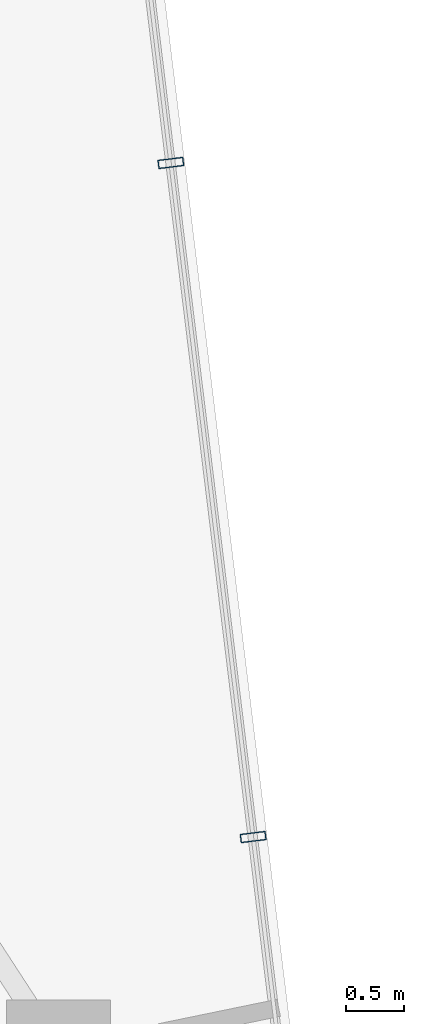
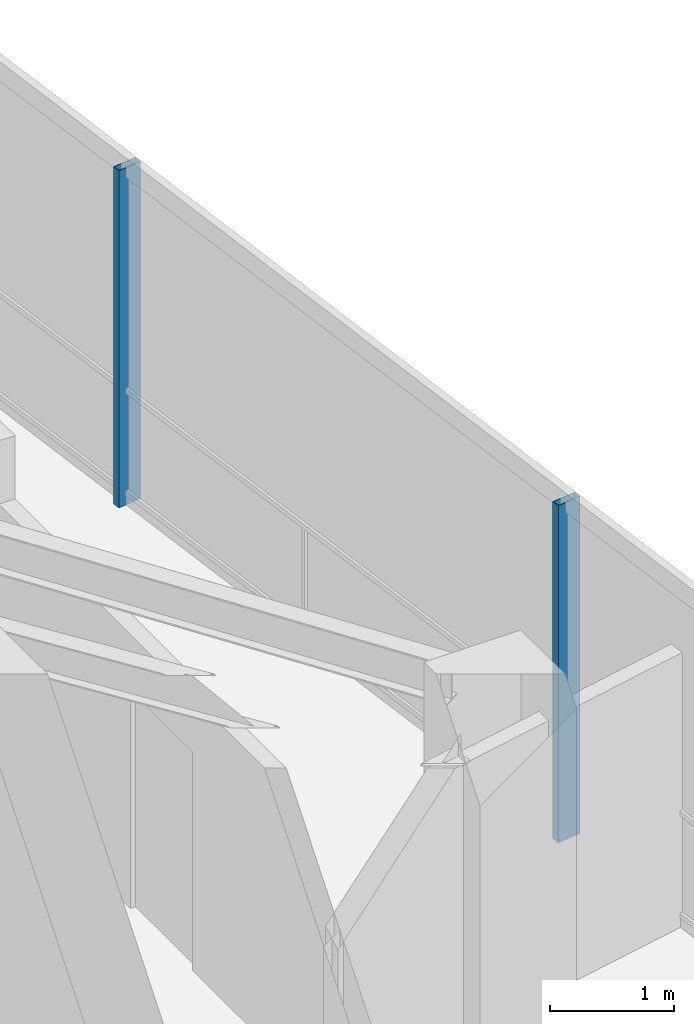
# One storey, part 9 of 18: 2 members, 1 element without a shape of its own.
"""IFC4 building model written with IfcOpenShell, lengths in metres."""

from ifc_helpers import new_model, si_unit, direction, frame, origin, origin_2d, place, context, subcontext, project, spatial, hollow_rectangle, extrude, material, layer, layer_set, material_profile, profile_set, type_object, element, aggregate, save


model = new_model("IFC4")

# Units and contexts
model_context = context("Model", 3, precision=1e-05, world=origin(), true_north=direction((0.0, 1.0)))
body_context = subcontext(model_context, "Body", "Model", "MODEL_VIEW")
ifc_project = project(units=[si_unit("LENGTHUNIT", "METRE"), si_unit("AREAUNIT", "SQUARE_METRE"), si_unit("VOLUMEUNIT", "CUBIC_METRE"), si_unit("PLANEANGLEUNIT", "RADIAN"), si_unit("MASSUNIT", "GRAM", prefix="KILO")], contexts=[model_context])

# Site, building, storey
site_placement = place(None, origin())
site = spatial("IfcSite", under=ifc_project, at=site_placement, CompositionType="ELEMENT")
building_placement = place(site_placement, origin())
building = spatial("IfcBuilding", under=site, at=building_placement, Name="Qarnah Convention Tower", CompositionType="ELEMENT")
storey_placement = place(building_placement, frame((0.0, 0.0, 205.800048828125)))
storey = spatial("IfcBuildingStorey", under=building, at=storey_placement, Name="L55", CompositionType="ELEMENT", Elevation=205.800048828125)

# Curtain wall, members
ifc_material_1 = material(Name="Tempered Low-E dark glass", Category="glass")
ifc_layer = layer(ifc_material_1, 0.174072265625)
ifc_layer_set = layer_set([ifc_layer], Name="Tempered Low-E dark glass")
curtain_wall_type = type_object("IfcCurtainWallType", Name="CWS-04", PredefinedType="NOTDEFINED", material=ifc_layer_set)
curtain_wall_placement = place(storey_placement, origin())
curtain_wall = element("IfcCurtainWall", 1, at=curtain_wall_placement, inside=storey, type_object=curtain_wall_type, Name="L55 unitised curtain wall CW-L55-F3", PredefinedType="NOTDEFINED")
ifc_material_2 = material(Name="Black anodised aluminium", Category="aluminium")
ifc_material_profile = material_profile(ifc_material_2, hollow_rectangle(XDim=0.074951171875, YDim=0.219970703125, WallThickness=0.0048828125, at=origin_2d()), Name="MUL-75X220")
ifc_profile_set = profile_set([ifc_material_profile], Name="Black anodised aluminium")
member_type = type_object("IfcMemberType", Name="MUL-T4", PredefinedType="MULLION", material=ifc_profile_set)
member_1_placement = place(storey_placement, frame((52.016357421875, 37.054931640625, 0.0), z_axis=(0.0, 0.0, 1.0), x_axis=(0.121219125701, -0.992625772164, 0.0)))
member_1 = element("IfcMember", 2, at=member_1_placement, type_object=member_type, Name="CW-L55-F3 mullion 2", PredefinedType="MULLION", context=body_context, shape_type="SweptSolid", body=[
    extrude(hollow_rectangle(XDim=0.074951171875, YDim=0.219970703125, WallThickness=0.0048828125, at=origin_2d()), origin(), (0.0, 0.0, 1.0), 3.320068359375),
])
member_2_placement = place(storey_placement, frame((52.730712890625, 31.205078125, 0.0), z_axis=(0.0, 0.0, 1.0), x_axis=(0.121219125701, -0.992625772164, 0.0)))
member_2 = element("IfcMember", 3, at=member_2_placement, type_object=member_type, Name="CW-L55-F3 mullion 3", PredefinedType="MULLION", context=body_context, shape_type="SweptSolid", body=[
    extrude(hollow_rectangle(XDim=0.074951171875, YDim=0.219970703125, WallThickness=0.0048828125, at=origin_2d()), origin(), (0.0, 0.0, 1.0), 3.320068359375),
])
aggregate(curtain_wall, [member_1, member_2])

save(model, "model.ifc")
